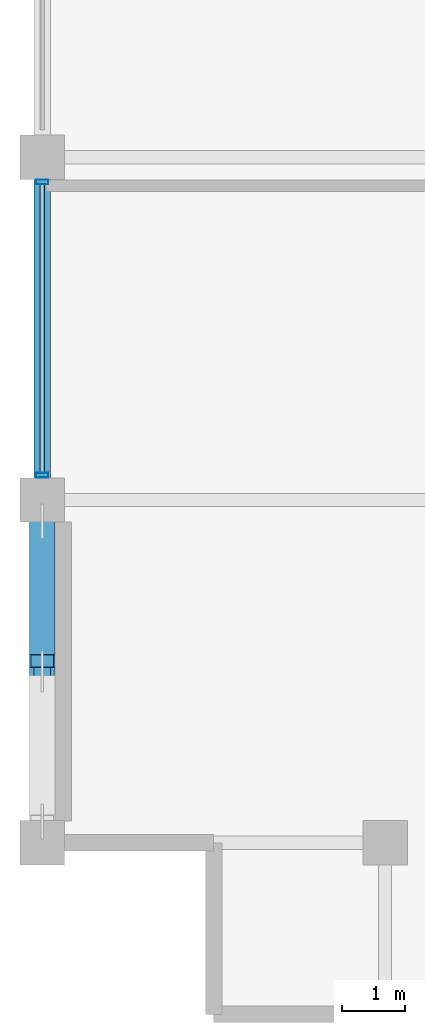
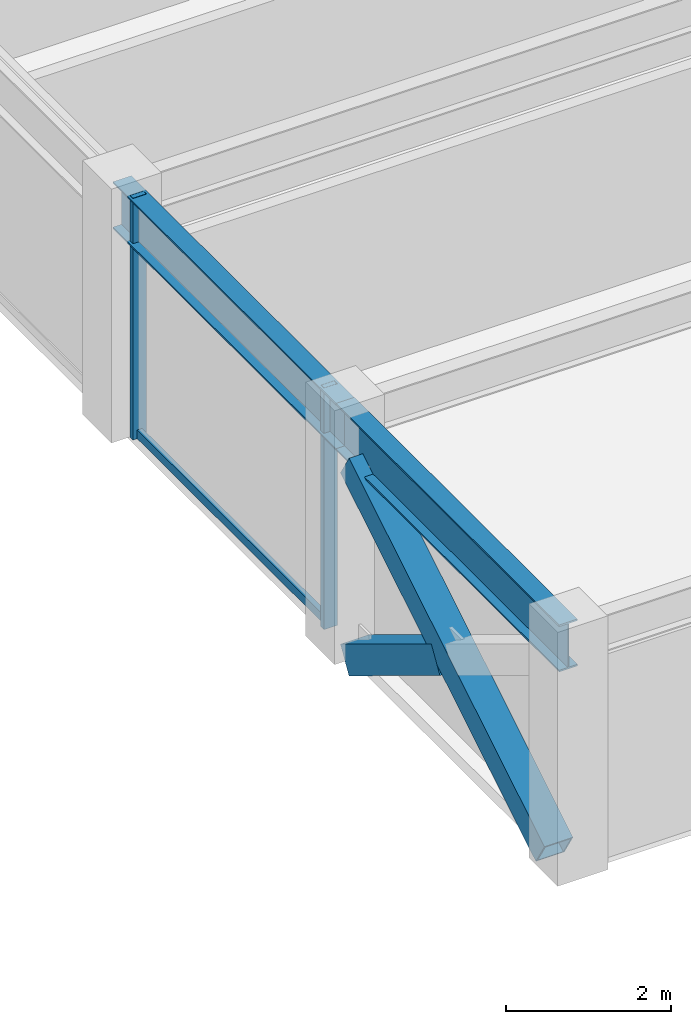
# One storey, part 4 of 30: 5 members, 2 beams, 1 element without a shape of its own.
"""IFC4 building model written with IfcOpenShell, lengths in metres."""

import ifcopenshell
import ifcopenshell.guid

model = None  # the IFC model being written
_history = None  # IfcOwnerHistory: only IFC2X3 demands one
_inside = {}  # id of a spatial element -> (the spatial element, [elements in it])
_under = {}  # id of a project, library or spatial element -> (it, [spatial elements below it])
_declared = {}  # id of a project -> (the project, [libraries it declares])
_typed = {}  # id of a type object -> (the type object, [elements of that type])
_made_of = {}  # id of a material, layer set ... -> (it, [elements and type objects made of it])


def new_model(schema):
    """Start an empty IFC model of exactly this schema.

    Asked for "IFC4X3", IfcOpenShell would pick the latest addendum, in which some entities
    have other attributes; the version numbers below select the first issue.
    IFC2X3 requires an IfcOwnerHistory on every rooted entity: one is made here for all.
    """
    global model, _history
    if schema == "IFC4X3":
        model = ifcopenshell.file(schema_version=(4, 3, 0, 0))
    else:
        model = ifcopenshell.file(schema=schema)
    _inside.clear()
    _under.clear()
    _declared.clear()
    _typed.clear()
    _made_of.clear()
    _history = None
    if model.schema == "IFC2X3":
        org = make("IfcOrganization", Name="unknown")
        user = make(
            "IfcPersonAndOrganization",
            ThePerson=make("IfcPerson", FamilyName="unknown"),
            TheOrganization=org,
        )
        app = make(
            "IfcApplication",
            ApplicationDeveloper=org,
            Version="unknown",
            ApplicationFullName="unknown",
            ApplicationIdentifier="unknown",
        )
        _history = make(
            "IfcOwnerHistory",
            OwningUser=user,
            OwningApplication=app,
            ChangeAction="ADDED",
            CreationDate=0,
        )
    return model


def make(cls, **values):
    """One entity of the class cls with the attributes given. An attribute that is None is left unset."""
    return model.create_entity(
        cls, **{name: value for name, value in values.items() if value is not None}
    )


def rooted(cls, **values):
    """An entity with a GlobalId (a new one), such as an element, a storey or a relation."""
    return make(cls, GlobalId=ifcopenshell.guid.new(), OwnerHistory=_history, **values)


def si_unit(unit_type, name, prefix=None):
    """IfcSIUnit, for example si_unit("LENGTHUNIT", "METRE", prefix="MILLI")."""
    return make("IfcSIUnit", UnitType=unit_type, Prefix=prefix, Name=name)


def assignment(units):
    """IfcUnitAssignment: the units of a project."""
    return None if units is None else make("IfcUnitAssignment", Units=units)


def point(xyz):
    """IfcCartesianPoint."""
    return None if xyz is None else make("IfcCartesianPoint", Coordinates=xyz)


def direction(xyz):
    """IfcDirection."""
    return None if xyz is None else make("IfcDirection", DirectionRatios=xyz)


def frame(location, z_axis=None, x_axis=None):
    """IfcAxis2Placement3D, a coordinate frame: its origin and axes. An axis left out is left unset."""
    return make(
        "IfcAxis2Placement3D",
        Location=point(location),
        Axis=direction(z_axis),
        RefDirection=direction(x_axis),
    )


def frame_2d(location, x_axis=None):
    """IfcAxis2Placement2D, a coordinate frame in the plane: its origin and x axis."""
    return make(
        "IfcAxis2Placement2D", Location=point(location), RefDirection=direction(x_axis)
    )


def origin():
    """The frame at (0, 0, 0) with its axes left unset."""
    return frame((0.0, 0.0, 0.0))


def origin_2d():
    """The frame at (0, 0) in the plane with its x axis left unset."""
    return frame_2d((0.0, 0.0))


def place(relative_to, where):
    """IfcLocalPlacement: puts the frame where relative to a parent placement (None: the world)."""
    return make(
        "IfcLocalPlacement", PlacementRelTo=relative_to, RelativePlacement=where
    )


def context(
    kind, dimensions, precision=None, world=None, true_north=None, identifier=None
):
    """IfcGeometricRepresentationContext, for example the 3D "Model" context."""
    return make(
        "IfcGeometricRepresentationContext",
        ContextIdentifier=identifier,
        ContextType=kind,
        CoordinateSpaceDimension=dimensions,
        Precision=precision,
        WorldCoordinateSystem=world,
        TrueNorth=true_north,
    )


def subcontext(parent, identifier, kind, view, scale=None):
    """IfcGeometricRepresentationSubContext, for example "Body" below "Model"."""
    return make(
        "IfcGeometricRepresentationSubContext",
        ContextIdentifier=identifier,
        ContextType=kind,
        ParentContext=parent,
        TargetScale=scale,
        TargetView=view,
    )


def project(units=None, contexts=None):
    """IfcProject with its units and contexts."""
    return rooted(
        "IfcProject",
        Name="project",
        RepresentationContexts=contexts,
        UnitsInContext=assignment(units),
    )


def spatial(cls, under=None, at=None, **own):
    """A site, building, storey or space (cls), placed at a placement, below another one or the project."""
    s = rooted(cls, ObjectPlacement=at, **own)
    if under is not None:
        _under.setdefault(under.id(), (under, []))[1].append(s)
    return s


def profile(cls, at=None, kind="AREA", **sizes):
    """A parametric profile (cls). Its sizes go by their IFC names, for example OverallWidth=200.0."""
    return make(cls, ProfileType=kind, Position=at, **sizes)


def hollow_rectangle(**sizes):
    """IfcRectangleHollowProfileDef."""
    return profile("IfcRectangleHollowProfileDef", **sizes)


def i_section(**sizes):
    """IfcIShapeProfileDef."""
    return profile("IfcIShapeProfileDef", **sizes)


def extrude(swept, where, along, depth):
    """IfcExtrudedAreaSolid: the profile swept, set in the frame where, extruded along a direction by depth."""
    return make(
        "IfcExtrudedAreaSolid",
        SweptArea=swept,
        Position=where,
        ExtrudedDirection=direction(along),
        Depth=depth,
    )


def shape(context_of_items, identifier, shape_type, items):
    """IfcShapeRepresentation: the items that make up one representation, for example the "Body"."""
    return make(
        "IfcShapeRepresentation",
        ContextOfItems=context_of_items,
        RepresentationIdentifier=identifier,
        RepresentationType=shape_type,
        Items=items,
    )


def material(Name=None, Category=None):
    """IfcMaterial."""
    return make("IfcMaterial", Name=Name, Category=Category)


def layer(
    of_material, thickness, ventilated=None, Name=None, Category=None, Priority=None
):
    """IfcMaterialLayer: one layer of a wall or slab, of a material (None: an air gap)."""
    return make(
        "IfcMaterialLayer",
        Material=of_material,
        LayerThickness=thickness,
        IsVentilated=ventilated,
        Name=Name,
        Category=Category,
        Priority=Priority,
    )


def layer_set(layers, Name=None):
    """IfcMaterialLayerSet."""
    return make("IfcMaterialLayerSet", MaterialLayers=layers, LayerSetName=Name)


def material_profile(
    of_material, cross_section, Name=None, Category=None, Priority=None
):
    """IfcMaterialProfile: a cross section and its material."""
    return make(
        "IfcMaterialProfile",
        Name=Name,
        Material=of_material,
        Profile=cross_section,
        Priority=Priority,
        Category=Category,
    )


def profile_set(profiles, Name=None, composite=None):
    """IfcMaterialProfileSet."""
    return make(
        "IfcMaterialProfileSet",
        Name=Name,
        MaterialProfiles=profiles,
        CompositeProfile=composite,
    )


def made_of(thing, what):
    """Note that an element or type object is made of a material, layer set ...; save() writes the relation."""
    if what is not None:
        _made_of.setdefault(what.id(), (what, []))[1].append(thing)
    return thing


def type_object(cls, material=None, **own):
    """A type object (cls), such as IfcWallType, which elements share."""
    return made_of(rooted(cls, **own), material)


def element(
    cls,
    number,
    at=None,
    inside=None,
    cuts=None,
    type_object=None,
    material=None,
    context=None,
    identifier="Body",
    shape_type=None,
    held_by="IfcProductDefinitionShape",
    body=None,
    shapes=None,
    **own,
):
    """One element of the class cls, such as IfcWall. Its Tag is "e" and its number.

    at: its placement. inside: the storey or other place that contains it. cuts: it is an
    opening in that element (IfcRelVoidsElement). A single representation is given by context,
    identifier, shape_type and body (its items); several are given by shapes. held_by: the class
    of the entity that holds the representations. save() writes the other relations.
    """
    e = rooted(cls, Tag="e%d" % number, ObjectPlacement=at, **own)
    if body is not None:
        shapes = [shape(context, identifier, shape_type, body)]
    if shapes is not None:
        e.Representation = make(held_by, Representations=shapes)
    if inside is not None:
        _inside.setdefault(inside.id(), (inside, []))[1].append(e)
    if cuts is not None:
        rooted(
            "IfcRelVoidsElement", RelatingBuildingElement=cuts, RelatedOpeningElement=e
        )
    if type_object is not None:
        _typed.setdefault(type_object.id(), (type_object, []))[1].append(e)
    return made_of(e, material)


def aggregate(whole, parts):
    """IfcRelAggregates: a whole, such as a stair, and the parts it consists of."""
    return rooted("IfcRelAggregates", RelatingObject=whole, RelatedObjects=parts)


def save(model, path):
    """Write the relations noted so far, then the file.

    IfcRelAggregates (storeys below a building ...), IfcRelContainedInSpatialStructure (elements
    in a storey), IfcRelDefinesByType, IfcRelAssociatesMaterial and IfcRelDeclares: one each for
    every whole, place, type object, material and project.
    """
    for whole, parts in _under.values():
        aggregate(whole, parts)
    for where, things in _inside.values():
        rooted(
            "IfcRelContainedInSpatialStructure",
            RelatedElements=things,
            RelatingStructure=where,
        )
    for kind, things in _typed.values():
        rooted("IfcRelDefinesByType", RelatedObjects=things, RelatingType=kind)
    for what, things in _made_of.values():
        rooted("IfcRelAssociatesMaterial", RelatedObjects=things, RelatingMaterial=what)
    for by, libraries in _declared.values():
        rooted("IfcRelDeclares", RelatingContext=by, RelatedDefinitions=libraries)
    model.write(path)


model = new_model("IFC4")

# Units and contexts
model_context = context("Model", 3, precision=1e-05, world=origin(), true_north=direction((0.0, 1.0)))
body_context = subcontext(model_context, "Body", "Model", "MODEL_VIEW")
ifc_project = project(units=[si_unit("LENGTHUNIT", "METRE"), si_unit("AREAUNIT", "SQUARE_METRE"), si_unit("VOLUMEUNIT", "CUBIC_METRE"), si_unit("PLANEANGLEUNIT", "RADIAN"), si_unit("MASSUNIT", "GRAM", prefix="KILO")], contexts=[model_context])

# Site, building, storey
site_placement = place(None, origin())
site = spatial("IfcSite", under=ifc_project, at=site_placement, CompositionType="ELEMENT")
building_placement = place(site_placement, origin())
building = spatial("IfcBuilding", under=site, at=building_placement, Name="Surkhivell Harbour Commons", CompositionType="ELEMENT")
storey_placement = place(building_placement, frame((0.0, 0.0, 296.25)))
storey = spatial("IfcBuildingStorey", under=building, at=storey_placement, Name="L77", CompositionType="ELEMENT", Elevation=296.25)

# Beams
ifc_material_1 = material(Name="Steel S355", Category="steel")
ifc_material_profile_1 = material_profile(ifc_material_1, i_section(OverallWidth=0.256103515625, OverallDepth=0.693115234375, WebThickness=0.014404296875, FlangeThickness=0.023681640625, at=origin_2d()), Name="UB686x254x170")
ifc_profile_set_1 = profile_set([ifc_material_profile_1], Name="Steel S355")
beam_type = type_object("IfcBeamType", Name="BM-SPN-686", PredefinedType="SPANDREL", material=ifc_profile_set_1)
beam_1_placement = place(storey_placement, frame((-27.0, -16.199951171875, 3.223388671875), z_axis=(0.0, 1.0, 0.0), x_axis=(-1.0, 0.0, 0.0)))
element("IfcBeam", 1, at=beam_1_placement, inside=storey, type_object=beam_type, Name="L77 Tube Spandrel (-27.0,-16.2)", PredefinedType="SPANDREL", context=body_context, shape_type="SweptSolid", body=[
    extrude(i_section(OverallWidth=0.256103515625, OverallDepth=0.693115234375, WebThickness=0.014404296875, FlangeThickness=0.023681640625, at=origin_2d()), origin(), (0.0, 0.0, 1.0), 5.39990234375),
])
beam_2_placement = place(storey_placement, frame((-27.0, -10.800048828125, 3.223388671875), z_axis=(0.0, 1.0, 0.0), x_axis=(-1.0, 0.0, 0.0)))
element("IfcBeam", 2, at=beam_2_placement, inside=storey, type_object=beam_type, Name="L77 Tube Spandrel (-27.0,-10.8)", PredefinedType="SPANDREL", context=body_context, shape_type="SweptSolid", body=[
    extrude(i_section(OverallWidth=0.256103515625, OverallDepth=0.693115234375, WebThickness=0.014404296875, FlangeThickness=0.023681640625, at=origin_2d()), origin(), (0.0, 0.0, 1.0), 5.400146484375),
])

# Curtain wall, members
ifc_material_2 = material(Name="Anodised pale-metal aluminium and insulated glazing", Category="aluminium")
ifc_layer = layer(ifc_material_2, 0.175048828125)
ifc_layer_set = layer_set([ifc_layer], Name="Anodised pale-metal aluminium and insulated glazing")
curtain_wall_type = type_object("IfcCurtainWallType", Name="CW-SYS-Z4", PredefinedType="NOTDEFINED", material=ifc_layer_set)
curtain_wall_placement = place(storey_placement, origin())
curtain_wall = element("IfcCurtainWall", 3, at=curtain_wall_placement, inside=storey, type_object=curtain_wall_type, Name="L77 Curtain Wall CW-L77-E12S1", PredefinedType="NOTDEFINED")
ifc_material_3 = material(Name="Anodised pale-metal aluminium alloy 6063-T6", Category="aluminium")
ifc_material_profile_2 = material_profile(ifc_material_3, hollow_rectangle(XDim=0.074951171875, YDim=0.18994140625, WallThickness=0.00390625, at=origin_2d()), Name="ALU-MULL-75x190")
ifc_profile_set_2 = profile_set([ifc_material_profile_2], Name="Anodised pale-metal aluminium alloy 6063-T6")
member_type_1 = type_object("IfcMemberType", Name="CWM-190", PredefinedType="MULLION", material=ifc_profile_set_2)
member_1_placement = place(storey_placement, frame((-27.0, -5.78955078125, 0.0), z_axis=(0.0, 0.0, 1.0), x_axis=(0.0, -1.0, 0.0)))
member_1 = element("IfcMember", 4, at=member_1_placement, type_object=member_type_1, Name="CW-Z4 mullion 6", PredefinedType="MULLION", context=body_context, shape_type="SweptSolid", body=[
    extrude(hollow_rectangle(XDim=0.074951171875, YDim=0.18994140625, WallThickness=0.00390625, at=origin_2d()), origin(), (0.0, 0.0, 1.0), 3.570068359375),
])
member_2_placement = place(storey_placement, frame((-27.0, -10.410400390625, 0.0), z_axis=(0.0, 0.0, 1.0), x_axis=(0.0, -1.0, 0.0)))
member_2 = element("IfcMember", 5, at=member_2_placement, type_object=member_type_1, Name="CW-Z4 mullion 7", PredefinedType="MULLION", context=body_context, shape_type="SweptSolid", body=[
    extrude(hollow_rectangle(XDim=0.074951171875, YDim=0.18994140625, WallThickness=0.00390625, at=origin_2d()), origin(), (0.0, 0.0, 1.0), 3.570068359375),
])
ifc_material_4 = material(Name="Champagne anodised aluminium alloy 6063-T6", Category="aluminium")
ifc_material_profile_3 = material_profile(ifc_material_4, hollow_rectangle(XDim=0.070068359375, YDim=0.1298828125, WallThickness=0.00341796875, at=origin_2d()), Name="ALU-TRAN-70x130")
ifc_profile_set_3 = profile_set([ifc_material_profile_3], Name="Champagne anodised aluminium alloy 6063-T6")
member_type_2 = type_object("IfcMemberType", Name="CWT-130", PredefinedType="USERDEFINED", material=ifc_profile_set_3)
member_3_placement = place(storey_placement, frame((-27.0, -5.826904296875, 0.06494140625), z_axis=(0.0, -1.0, 0.0), x_axis=(1.0, 0.0, 0.0)))
member_3 = element("IfcMember", 6, at=member_3_placement, type_object=member_type_2, Name="CW-Z4 transom 6.1", ObjectType="TRANSOM", PredefinedType="USERDEFINED", context=body_context, shape_type="SweptSolid", body=[
    extrude(hollow_rectangle(XDim=0.070068359375, YDim=0.1298828125, WallThickness=0.00341796875, at=origin_2d()), origin(), (0.0, 0.0, 1.0), 4.546142578125),
])
aggregate(curtain_wall, [member_1, member_2, member_3])

# Members
ifc_material_5 = material(Name="Steel S460", Category="steel")
ifc_material_profile_4 = material_profile(ifc_material_5, hollow_rectangle(XDim=0.39990234375, YDim=0.39990234375, WallThickness=0.02001953125, at=origin_2d()), Name="SHS400x400x20")
ifc_profile_set_4 = profile_set([ifc_material_profile_4], Name="Steel S460")
member_type_3 = type_object("IfcMemberType", Name="MEM-BRC-SHS400", PredefinedType="BRACE", material=ifc_profile_set_4)
member_4_placement = place(storey_placement, frame((-27.0, -15.864990234375, 0.008056640625), z_axis=(0.0, 0.854685454322, 0.519146197299), x_axis=(-1.0, 0.0, 0.0)))
element("IfcMember", 7, at=member_4_placement, inside=storey, type_object=member_type_3, Name="L77 Perimeter Mega-Brace MB- 10", PredefinedType="BRACE", context=body_context, shape_type="SweptSolid", body=[
    extrude(hollow_rectangle(XDim=0.39990234375, YDim=0.39990234375, WallThickness=0.02001953125, at=origin_2d()), origin(), (0.0, 0.0, 1.0), 5.5341796875),
])
member_5_placement = place(storey_placement, frame((-27.0, -11.135009765625, 0.008056640625), z_axis=(0.0, -0.854719912157, 0.519089464122), x_axis=(1.0, 0.0, 0.0)))
element("IfcMember", 8, at=member_5_placement, inside=storey, type_object=member_type_3, Name="L77 Perimeter Mega-Brace MB- 11", PredefinedType="BRACE", context=body_context, shape_type="SweptSolid", body=[
    extrude(hollow_rectangle(XDim=0.39990234375, YDim=0.39990234375, WallThickness=0.02001953125, at=origin_2d()), origin(), (0.0, 0.0, 1.0), 2.574951171875),
])

save(model, "model.ifc")
